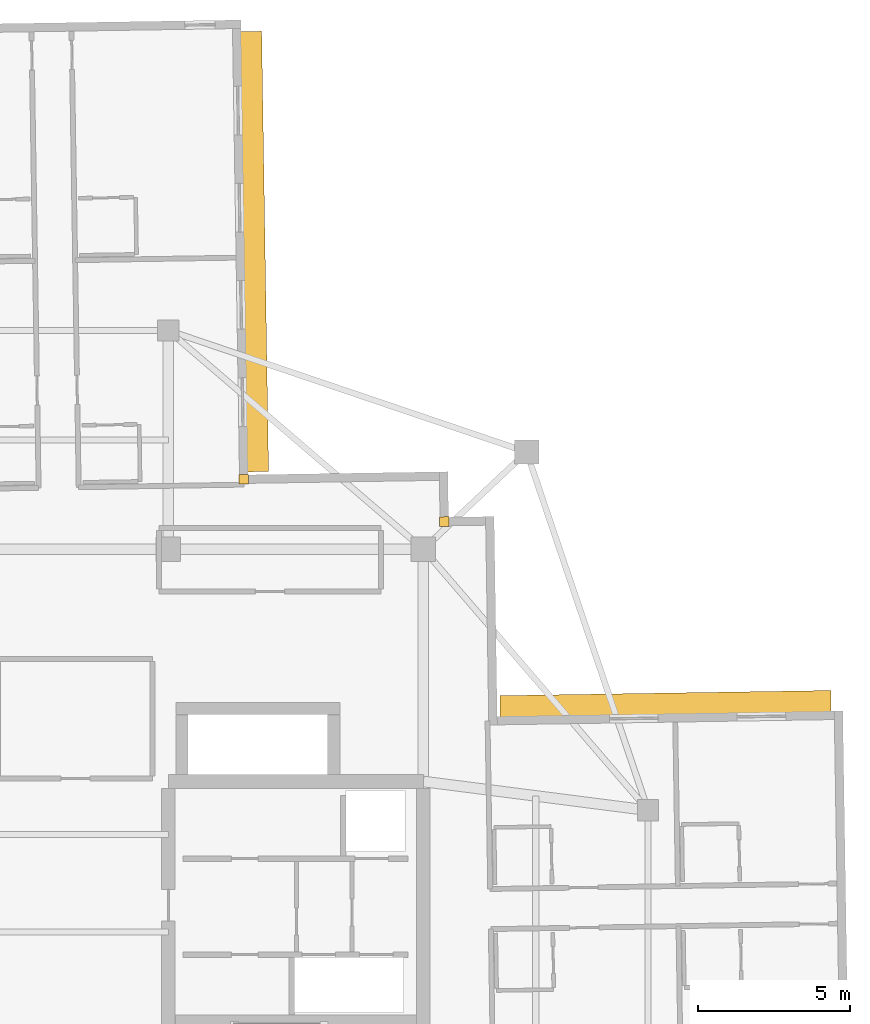
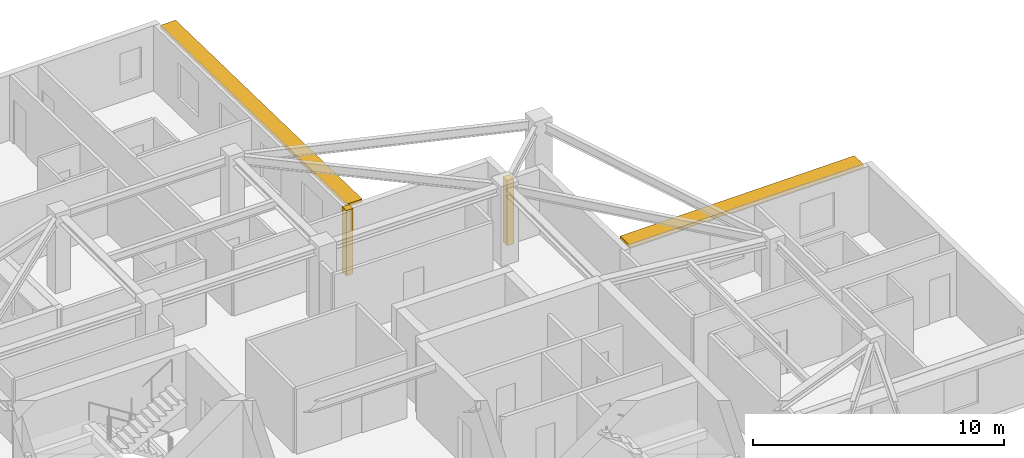
# One storey, part 12 of 12: 2 coverings, 2 shading devices.
"""IFC4 building model written with IfcOpenShell, lengths in metres."""

from ifc_helpers import new_model, si_unit, direction, frame, origin, origin_2d, place, context, subcontext, project, spatial, rectangle, extrude, material, layer, layer_set, type_object, element, save


model = new_model("IFC4")

# Units and contexts
model_context = context("Model", 3, precision=1e-05, world=origin(), true_north=direction((0.0, 1.0)))
body_context = subcontext(model_context, "Body", "Model", "MODEL_VIEW")
ifc_project = project(units=[si_unit("LENGTHUNIT", "METRE"), si_unit("AREAUNIT", "SQUARE_METRE"), si_unit("VOLUMEUNIT", "CUBIC_METRE"), si_unit("PLANEANGLEUNIT", "RADIAN"), si_unit("MASSUNIT", "GRAM", prefix="KILO")], contexts=[model_context])

# Site, building, storey
site_placement = place(None, origin())
site = spatial("IfcSite", under=ifc_project, at=site_placement, CompositionType="ELEMENT")
building_placement = place(site_placement, origin())
building = spatial("IfcBuilding", under=site, at=building_placement, Name="Qingluan Cross Belvedere", CompositionType="ELEMENT")
storey_placement = place(building_placement, frame((0.0, 0.0, 269.39990234375)))
storey = spatial("IfcBuildingStorey", under=building, at=storey_placement, Name="L67", CompositionType="ELEMENT", Elevation=269.39990234375)

# Coverings
ifc_material_1 = material(Name="Precast concrete C45", Category="concrete")
ifc_layer_1 = layer(ifc_material_1, 0.1201171875, Name="ConcreteSpandrelCladding_120")
ifc_layer_set_1 = layer_set([ifc_layer_1], Name="Precast concrete C45")
covering_type = type_object("IfcCoveringType", Name="ConcreteSpandrelCladding_120", PredefinedType="CLADDING", material=ifc_layer_set_1)
for number, where, z_axis, x_axis, name in (
    (1, (13.089599609375, 13.50732421875, 0.0), (0.0, 0.0, 1.0), (0.999876632482, 0.015707317312, 0.0), "Corner closure L67-NE1"),
    (2, (6.48681640625, 14.90380859375, 0.0), (0.0, 0.0, 1.0), (0.999876632482, 0.015707317312, 0.0), "Corner closure L67-NE2"),
):
    element("IfcCovering", number, at=place(storey_placement, frame(where, z_axis=z_axis, x_axis=x_axis)), inside=storey, type_object=covering_type, Name=name, PredefinedType="CLADDING", context=body_context, shape_type="SweptSolid", body=[
        extrude(rectangle(XDim=0.320068359375, YDim=0.320068359375, at=origin_2d()), origin(), (0.0, 0.0, 1.0), 3.179931640625),
    ])

# Shading devices
ifc_material_2 = material(Name="Precast concrete C45", Category="concrete")
ifc_layer_2 = layer(ifc_material_2, 0.139892578125, Name="ConcreteSunshadeBand_700")
ifc_layer_set_2 = layer_set([ifc_layer_2], Name="Precast concrete C45")
shading_device_type = type_object("IfcShadingDeviceType", Name="ConcreteSunshadeBand_700", PredefinedType="USERDEFINED", material=ifc_layer_set_2)
shading_device_1_placement = place(storey_placement, frame((20.37451171875, 7.510986328125, 3.0), z_axis=(0.0, 0.0, 1.0), x_axis=(-0.999876562775, -0.015711753967, 0.0)))
element("IfcShadingDevice", 3, at=shading_device_1_placement, inside=storey, type_object=shading_device_type, Name="Concrete SUNSHADE L67-EB", ObjectType="SUNSHADE", PredefinedType="USERDEFINED", context=body_context, shape_type="SweptSolid", body=[
    extrude(rectangle(XDim=10.89990234375, YDim=0.699951171875, at=origin_2d()), origin(), (0.0, 0.0, 1.0), 0.159912109375),
])
shading_device_2_placement = place(storey_placement, frame((6.839111328125, 22.400146484375, 3.0), z_axis=(0.0, 0.0, 1.0), x_axis=(-0.015707468526, 0.999876630106, 0.0)))
element("IfcShadingDevice", 4, at=shading_device_2_placement, inside=storey, type_object=shading_device_type, Name="Concrete SUNSHADE L67-NA", ObjectType="SUNSHADE", PredefinedType="USERDEFINED", context=body_context, shape_type="SweptSolid", body=[
    extrude(rectangle(XDim=14.5, YDim=0.699951171875, at=origin_2d()), origin(), (0.0, 0.0, 1.0), 0.159912109375),
])

save(model, "model.ifc")
